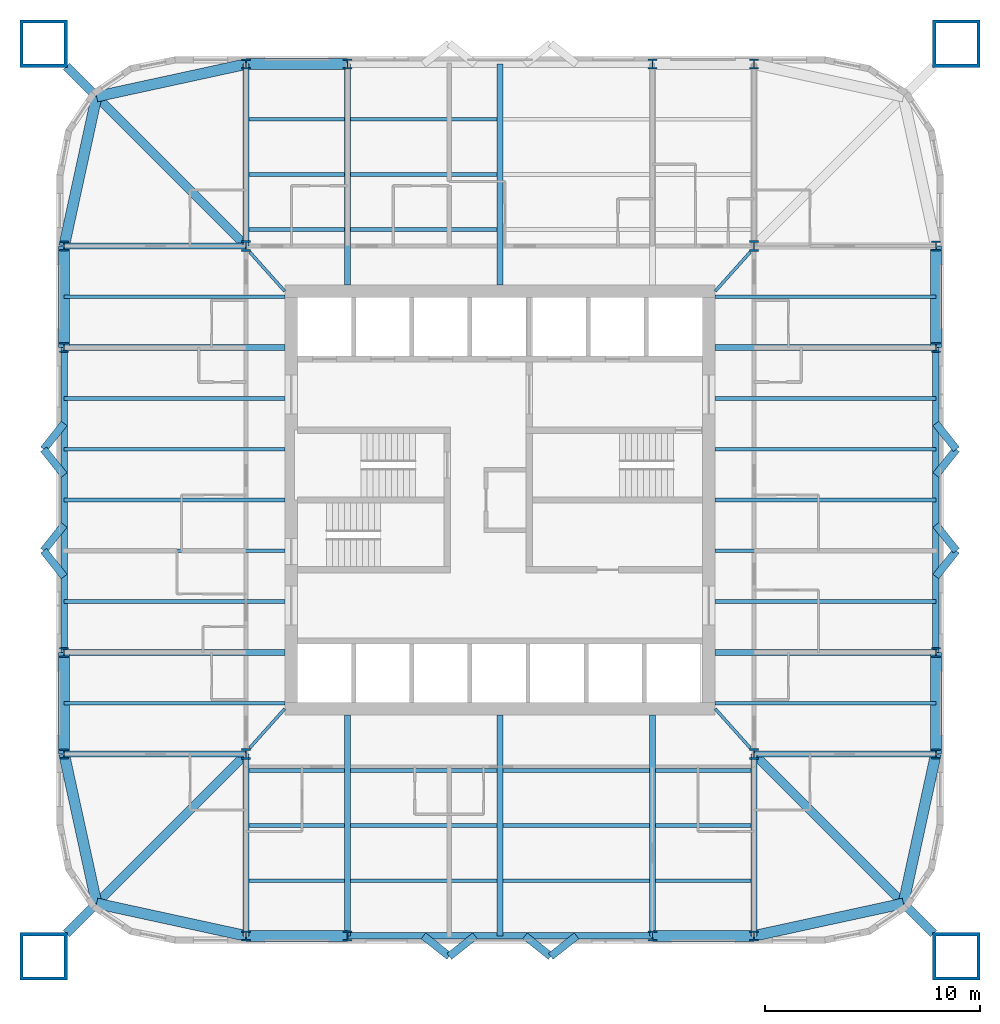
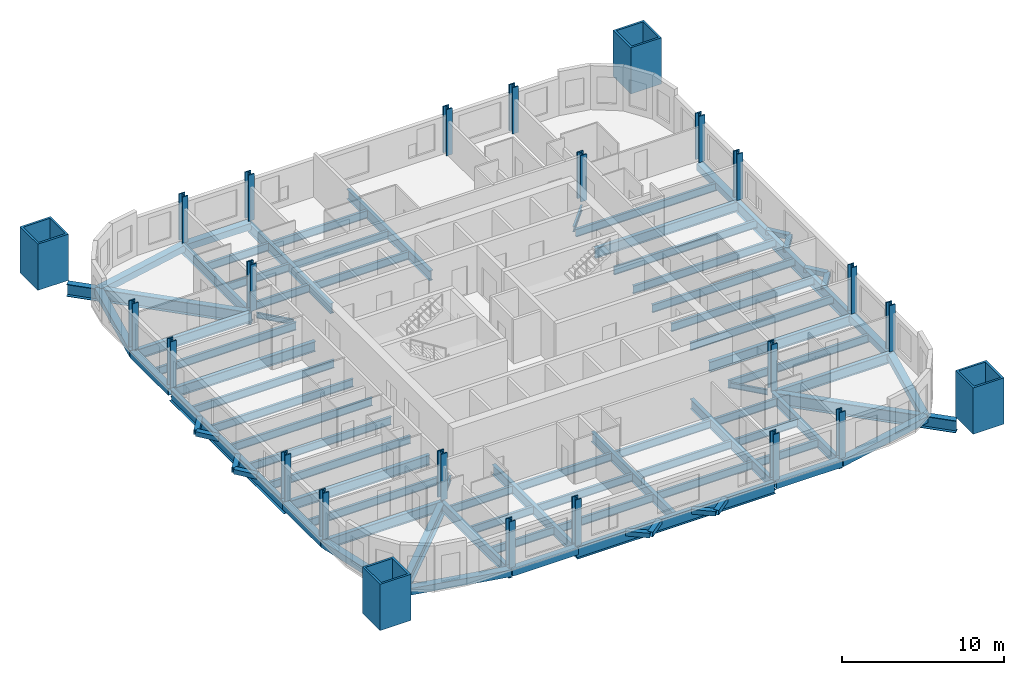
# One storey, part 1 of 9: 82 beams, 24 columns.
"""IFC4 building model written with IfcOpenShell, lengths in metres."""

from ifc_helpers import new_model, si_unit, direction, frame, origin, origin_2d, place, context, subcontext, project, spatial, hollow_rectangle, i_section, extrude, material, material_profile, profile_set, type_object, element, save


model = new_model("IFC4")

# Units and contexts
model_context = context("Model", 3, precision=1e-05, world=origin(), true_north=direction((0.0, 1.0)))
body_context = subcontext(model_context, "Body", "Model", "MODEL_VIEW")
ifc_project = project(units=[si_unit("LENGTHUNIT", "METRE"), si_unit("AREAUNIT", "SQUARE_METRE"), si_unit("VOLUMEUNIT", "CUBIC_METRE"), si_unit("PLANEANGLEUNIT", "RADIAN"), si_unit("MASSUNIT", "GRAM", prefix="KILO")], contexts=[model_context])

# Site, building, storey
site_placement = place(None, origin())
site = spatial("IfcSite", under=ifc_project, at=site_placement, CompositionType="ELEMENT")
building_placement = place(site_placement, origin())
building = spatial("IfcBuilding", under=site, at=building_placement, Name="Turquesa Mirador Hotel Tower", CompositionType="ELEMENT")
storey_placement = place(building_placement, frame((0.0, 0.0, 128.39990234375)))
storey = spatial("IfcBuildingStorey", under=building, at=storey_placement, Name="L34", CompositionType="ELEMENT", Elevation=128.39990234375)

# Columns
ifc_material_1 = material(Name="Steel ASTM A992 Grade 50", Category="steel")
ifc_material_profile_1 = material_profile(ifc_material_1, i_section(OverallWidth=0.421630859375, OverallDepth=0.46484375, WebThickness=0.044921875, FlangeThickness=0.072509765625, at=origin_2d()), Name="W14X398")
ifc_profile_set_1 = profile_set([ifc_material_profile_1], Name="Steel ASTM A992 Grade 50")
column_type_1 = type_object("IfcColumnType", Name="COLUMN W14X398", PredefinedType="COLUMN", material=ifc_profile_set_1)
for number, where, z_axis, x_axis, name in (
    (1, (34.75, 33.199951171875, 0.0), (0.0, 0.0, 1.0), (1.0, 0.0, 0.0), "COL-L34-P--20.25--11.80"),
    (2, (34.75, 37.919921875, 0.0), (0.0, 0.0, 1.0), (1.0, 0.0, 0.0), "COL-L34-P--20.25--7.08"),
    (3, (34.75, 52.080078125, 0.0), (0.0, 0.0, 1.0), (1.0, 0.0, 0.0), "COL-L34-P--20.25-+7.08"),
    (4, (34.75, 56.800048828125, 0.0), (0.0, 0.0, 1.0), (1.0, 0.0, 0.0), "COL-L34-P--20.25-+11.80"),
    (5, (43.199951171875, 24.75, 0.0), (0.0, 0.0, 1.0), (1.0, 0.0, 0.0), "COL-L34-P--11.80--20.25"),
    (6, (43.199951171875, 65.25, 0.0), (0.0, 0.0, 1.0), (1.0, 0.0, 0.0), "COL-L34-P--11.80-+20.25"),
    (7, (47.919921875, 24.75, 0.0), (0.0, 0.0, 1.0), (1.0, 0.0, 0.0), "COL-L34-P--7.08--20.25"),
    (8, (47.919921875, 65.25, 0.0), (0.0, 0.0, 1.0), (1.0, 0.0, 0.0), "COL-L34-P--7.08-+20.25"),
    (9, (62.080078125, 24.75, 0.0), (0.0, 0.0, 1.0), (1.0, 0.0, 0.0), "COL-L34-P-+7.08--20.25"),
    (10, (62.080078125, 65.25, 0.0), (0.0, 0.0, 1.0), (1.0, 0.0, 0.0), "COL-L34-P-+7.08-+20.25"),
    (11, (66.800048828125, 24.75, 0.0), (0.0, 0.0, 1.0), (1.0, 0.0, 0.0), "COL-L34-P-+11.80--20.25"),
    (12, (66.800048828125, 65.25, 0.0), (0.0, 0.0, 1.0), (1.0, 0.0, 0.0), "COL-L34-P-+11.80-+20.25"),
    (13, (75.25, 33.199951171875, 0.0), (0.0, 0.0, 1.0), (1.0, 0.0, 0.0), "COL-L34-P-+20.25--11.80"),
    (14, (75.25, 37.919921875, 0.0), (0.0, 0.0, 1.0), (1.0, 0.0, 0.0), "COL-L34-P-+20.25--7.08"),
    (15, (75.25, 52.080078125, 0.0), (0.0, 0.0, 1.0), (1.0, 0.0, 0.0), "COL-L34-P-+20.25-+7.08"),
    (16, (75.25, 56.800048828125, 0.0), (0.0, 0.0, 1.0), (1.0, 0.0, 0.0), "COL-L34-P-+20.25-+11.80"),
):
    element("IfcColumn", number, at=place(storey_placement, frame(where, z_axis=z_axis, x_axis=x_axis)), inside=storey, type_object=column_type_1, Name=name, PredefinedType="COLUMN", context=body_context, shape_type="SweptSolid", body=[
        extrude(i_section(OverallWidth=0.421630859375, OverallDepth=0.46484375, WebThickness=0.044921875, FlangeThickness=0.072509765625, at=origin_2d()), origin(), (0.0, 0.0, 1.0), 3.5),
    ])
ifc_material_2 = material(Name="Steel ASTM A992 Grade 50", Category="steel")
ifc_material_profile_2 = material_profile(ifc_material_2, i_section(OverallWidth=0.431884765625, OverallDepth=0.497802734375, WebThickness=0.0556640625, FlangeThickness=0.0888671875, at=origin_2d()), Name="W14X500")
ifc_profile_set_2 = profile_set([ifc_material_profile_2], Name="Steel ASTM A992 Grade 50")
column_type_2 = type_object("IfcColumnType", Name="COLUMN W14X500", PredefinedType="COLUMN", material=ifc_profile_set_2)
for number, where, z_axis, x_axis, name in (
    (17, (43.199951171875, 33.199951171875, 0.0), (0.0, 0.0, 1.0), (1.0, 0.0, 0.0), "COL-L34-K--11.80--11.80"),
    (18, (43.199951171875, 56.800048828125, 0.0), (0.0, 0.0, 1.0), (1.0, 0.0, 0.0), "COL-L34-K--11.80-+11.80"),
    (19, (66.800048828125, 33.199951171875, 0.0), (0.0, 0.0, 1.0), (1.0, 0.0, 0.0), "COL-L34-K-+11.80--11.80"),
    (20, (66.800048828125, 56.800048828125, 0.0), (0.0, 0.0, 1.0), (1.0, 0.0, 0.0), "COL-L34-K-+11.80-+11.80"),
):
    element("IfcColumn", number, at=place(storey_placement, frame(where, z_axis=z_axis, x_axis=x_axis)), inside=storey, type_object=column_type_2, Name=name, PredefinedType="COLUMN", context=body_context, shape_type="SweptSolid", body=[
        extrude(i_section(OverallWidth=0.431884765625, OverallDepth=0.497802734375, WebThickness=0.0556640625, FlangeThickness=0.0888671875, at=origin_2d()), origin(), (0.0, 0.0, 1.0), 3.5),
    ])
ifc_material_3 = material(Name="Steel ASTM A514 Grade Q", Category="steel")
ifc_material_profile_3 = material_profile(ifc_material_3, hollow_rectangle(XDim=2.199951171875, YDim=2.199951171875, WallThickness=0.14990234375, at=origin_2d()), Name="BOX2200X2200X150")
ifc_profile_set_3 = profile_set([ifc_material_profile_3], Name="Steel ASTM A514 Grade Q")
column_type_3 = type_object("IfcColumnType", Name="MEGA COLUMN BOX2200X2200X150", PredefinedType="COLUMN", material=ifc_profile_set_3)
for number, where, z_axis, x_axis, name in (
    (21, (76.199951171875, 66.199951171875, 0.0), (0.0, 0.0, 1.0), (1.0, 0.0, 0.0), "Mega column M1"),
    (22, (33.800048828125, 66.199951171875, 0.0), (0.0, 0.0, 1.0), (1.0, 0.0, 0.0), "Mega column M2"),
    (23, (33.800048828125, 23.800048828125, 0.0), (0.0, 0.0, 1.0), (1.0, 0.0, 0.0), "Mega column M3"),
    (24, (76.199951171875, 23.800048828125, 0.0), (0.0, 0.0, 1.0), (1.0, 0.0, 0.0), "Mega column M4"),
):
    element("IfcColumn", number, at=place(storey_placement, frame(where, z_axis=z_axis, x_axis=x_axis)), inside=storey, type_object=column_type_3, Name=name, PredefinedType="COLUMN", context=body_context, shape_type="SweptSolid", body=[
        extrude(hollow_rectangle(XDim=2.199951171875, YDim=2.199951171875, WallThickness=0.14990234375, at=origin_2d()), origin(), (0.0, 0.0, 1.0), 3.5),
    ])

# Beams
ifc_material_4 = material(Name="Steel ASTM A572 Grade 50", Category="steel")
ifc_material_profile_4 = material_profile(ifc_material_4, hollow_rectangle(XDim=0.5, YDim=0.5, WallThickness=0.01611328125, at=origin_2d()), Name="BOX500X500X16")
ifc_profile_set_4 = profile_set([ifc_material_profile_4], Name="Steel ASTM A572 Grade 50")
beam_type_1 = type_object("IfcBeamType", Name="BEAM BOX500X500X16", PredefinedType="BEAM", material=ifc_profile_set_4)
for number, where, z_axis, x_axis, name in (
    (25, (43.199951171875, 65.25, -0.419921875), (1.0, 0.0, 0.0), (0.0, 1.0, 0.0), "EB-L34-N-L"),
    (26, (43.199951171875, 24.75, -0.419921875), (1.0, 0.0, 0.0), (0.0, 1.0, 0.0), "EB-L34-S-L"),
    (27, (62.080078125, 24.75, -0.419921875), (1.0, 0.0, 0.0), (0.0, 1.0, 0.0), "EB-L34-S-R"),
    (28, (75.25, 33.199951171875, -0.419921875), (0.0, 1.0, 0.0), (-1.0, 0.0, 0.0), "EB-L34-E-L"),
    (29, (75.25, 52.080078125, -0.419921875), (0.0, 1.0, 0.0), (-1.0, 0.0, 0.0), "EB-L34-E-R"),
    (30, (34.75, 33.199951171875, -0.419921875), (0.0, 1.0, 0.0), (-1.0, 0.0, 0.0), "EB-L34-W-L"),
    (31, (34.75, 52.080078125, -0.419921875), (0.0, 1.0, 0.0), (-1.0, 0.0, 0.0), "EB-L34-W-R"),
):
    element("IfcBeam", number, at=place(storey_placement, frame(where, z_axis=z_axis, x_axis=x_axis)), inside=storey, type_object=beam_type_1, Name=name, PredefinedType="BEAM", context=body_context, shape_type="SweptSolid", body=[
        extrude(hollow_rectangle(XDim=0.5, YDim=0.5, WallThickness=0.01611328125, at=origin_2d()), origin(), (0.0, 0.0, 1.0), 4.719970703125),
    ])
for number, where, z_axis, x_axis, name in (
    (32, (34.75, 56.800048828125, -0.419921875), (0.212328336885, 0.977198381781, 0.0), (-0.977198381781, 0.212328336885, 0.0), "KE-L34-2-0"),
    (33, (36.25830078125, 63.74169921875, -0.419921875), (0.977198381781, 0.212328336885, 0.0), (-0.212328336885, 0.977198381781, 0.0), "KE-L34-2-1"),
    (34, (34.75, 33.199951171875, -0.419921875), (0.212328336885, -0.977198381781, 0.0), (0.977198381781, 0.212328336885, 0.0), "KE-L34-3-0"),
    (35, (36.25830078125, 26.25830078125, -0.419921875), (0.977198381781, -0.212328336885, 0.0), (0.212328336885, 0.977198381781, 0.0), "KE-L34-3-1"),
    (36, (75.25, 33.199951171875, -0.419921875), (-0.212328336885, -0.977198381781, 0.0), (0.977198381781, -0.212328336885, 0.0), "KE-L34-4-0"),
    (37, (73.74169921875, 26.25830078125, -0.419921875), (-0.977198381781, -0.212328336885, 0.0), (0.212328336885, -0.977198381781, 0.0), "KE-L34-4-1"),
):
    element("IfcBeam", number, at=place(storey_placement, frame(where, z_axis=z_axis, x_axis=x_axis)), inside=storey, type_object=beam_type_1, Name=name, PredefinedType="BEAM", context=body_context, shape_type="SweptSolid", body=[
        extrude(hollow_rectangle(XDim=0.5, YDim=0.5, WallThickness=0.01611328125, at=origin_2d()), origin(), (0.0, 0.0, 1.0), 7.103515625),
    ])
ifc_material_5 = material(Name="Steel ASTM A992 Grade 50", Category="steel")
ifc_material_profile_5 = material_profile(ifc_material_5, i_section(OverallWidth=0.140380859375, OverallDepth=0.40380859375, WebThickness=0.007080078125, FlangeThickness=0.01123046875, at=origin_2d()), Name="W16X31")
ifc_profile_set_5 = profile_set([ifc_material_profile_5], Name="Steel ASTM A992 Grade 50")
beam_type_2 = type_object("IfcBeamType", Name="BEAM W16X31", PredefinedType="BEAM", material=ifc_profile_set_5)
for number, where, z_axis, x_axis, name in (
    (38, (66.626953125, 56.518310546875, -0.371826171875), (-0.66679485947, -0.745241313525, 0.0), (0.745241313525, -0.66679485947, 0.0), "KT-L34-1"),
    (39, (43.373046875, 56.518310546875, -0.371826171875), (0.66679485947, -0.745241313525, 0.0), (0.745241313525, 0.66679485947, 0.0), "KT-L34-2"),
    (40, (43.373046875, 33.481689453125, -0.371826171875), (0.66679485947, 0.745241313525, 0.0), (-0.745241313525, 0.66679485947, 0.0), "KT-L34-3"),
    (41, (66.626953125, 33.481689453125, -0.371826171875), (-0.66679485947, 0.745241313525, 0.0), (-0.745241313525, -0.66679485947, 0.0), "KT-L34-4"),
):
    element("IfcBeam", number, at=place(storey_placement, frame(where, z_axis=z_axis, x_axis=x_axis)), inside=storey, type_object=beam_type_2, Name=name, PredefinedType="BEAM", context=body_context, shape_type="SweptSolid", body=[
        extrude(i_section(OverallWidth=0.140380859375, OverallDepth=0.40380859375, WebThickness=0.007080078125, FlangeThickness=0.01123046875, at=origin_2d()), origin(), (0.0, 0.0, 1.0), 2.43994140625),
    ])
ifc_material_6 = material(Name="Steel ASTM A992 Grade 50", Category="steel")
ifc_material_profile_6 = material_profile(ifc_material_6, i_section(OverallWidth=0.177978515625, OverallDepth=0.599365234375, WebThickness=0.010009765625, FlangeThickness=0.012939453125, at=origin_2d()), Name="W24X55")
ifc_profile_set_6 = profile_set([ifc_material_profile_6], Name="Steel ASTM A992 Grade 50")
beam_type_3 = type_object("IfcBeamType", Name="BEAM W24X55", PredefinedType="BEAM", material=ifc_profile_set_6)
beam_1_placement = place(storey_placement, frame((43.333251953125, 57.56201171875, -0.4697265625), z_axis=(1.0, 0.0, 0.0), x_axis=(0.0, 1.0, 0.0)))
element("IfcBeam", 42, at=beam_1_placement, inside=storey, type_object=beam_type_3, Name="IB-L34-N-1-0", PredefinedType="BEAM", context=body_context, shape_type="SweptSolid", body=[
    extrude(i_section(OverallWidth=0.177978515625, OverallDepth=0.599365234375, WebThickness=0.010009765625, FlangeThickness=0.012939453125, at=origin_2d()), origin(), (0.0, 0.0, 1.0), 4.453369140625),
])
beam_2_placement = place(storey_placement, frame((48.053466796875, 57.56201171875, -0.4697265625), z_axis=(1.0, 0.0, 0.0), x_axis=(0.0, 1.0, 0.0)))
element("IfcBeam", 43, at=beam_2_placement, inside=storey, type_object=beam_type_3, Name="IB-L34-N-1-1", PredefinedType="BEAM", context=body_context, shape_type="SweptSolid", body=[
    extrude(i_section(OverallWidth=0.177978515625, OverallDepth=0.599365234375, WebThickness=0.010009765625, FlangeThickness=0.012939453125, at=origin_2d()), origin(), (0.0, 0.0, 1.0), 6.813232421875),
])
beam_3_placement = place(storey_placement, frame((43.333251953125, 60.125, -0.4697265625), z_axis=(1.0, 0.0, 0.0), x_axis=(0.0, 1.0, 0.0)))
element("IfcBeam", 44, at=beam_3_placement, inside=storey, type_object=beam_type_3, Name="IB-L34-N-2-0", PredefinedType="BEAM", context=body_context, shape_type="SweptSolid", body=[
    extrude(i_section(OverallWidth=0.177978515625, OverallDepth=0.599365234375, WebThickness=0.010009765625, FlangeThickness=0.012939453125, at=origin_2d()), origin(), (0.0, 0.0, 1.0), 4.453369140625),
])
beam_4_placement = place(storey_placement, frame((48.053466796875, 60.125, -0.4697265625), z_axis=(1.0, 0.0, 0.0), x_axis=(0.0, 1.0, 0.0)))
element("IfcBeam", 45, at=beam_4_placement, inside=storey, type_object=beam_type_3, Name="IB-L34-N-2-1", PredefinedType="BEAM", context=body_context, shape_type="SweptSolid", body=[
    extrude(i_section(OverallWidth=0.177978515625, OverallDepth=0.599365234375, WebThickness=0.010009765625, FlangeThickness=0.012939453125, at=origin_2d()), origin(), (0.0, 0.0, 1.0), 6.813232421875),
])
beam_5_placement = place(storey_placement, frame((43.333251953125, 62.68798828125, -0.4697265625), z_axis=(1.0, 0.0, 0.0), x_axis=(0.0, 1.0, 0.0)))
element("IfcBeam", 46, at=beam_5_placement, inside=storey, type_object=beam_type_3, Name="IB-L34-N-3-0", PredefinedType="BEAM", context=body_context, shape_type="SweptSolid", body=[
    extrude(i_section(OverallWidth=0.177978515625, OverallDepth=0.599365234375, WebThickness=0.010009765625, FlangeThickness=0.012939453125, at=origin_2d()), origin(), (0.0, 0.0, 1.0), 4.453369140625),
])
beam_6_placement = place(storey_placement, frame((48.053466796875, 62.68798828125, -0.4697265625), z_axis=(1.0, 0.0, 0.0), x_axis=(0.0, 1.0, 0.0)))
element("IfcBeam", 47, at=beam_6_placement, inside=storey, type_object=beam_type_3, Name="IB-L34-N-3-1", PredefinedType="BEAM", context=body_context, shape_type="SweptSolid", body=[
    extrude(i_section(OverallWidth=0.177978515625, OverallDepth=0.599365234375, WebThickness=0.010009765625, FlangeThickness=0.012939453125, at=origin_2d()), origin(), (0.0, 0.0, 1.0), 6.813232421875),
])
beam_7_placement = place(storey_placement, frame((43.333251953125, 32.43798828125, -0.4697265625), z_axis=(1.0, 0.0, 0.0), x_axis=(0.0, 1.0, 0.0)))
element("IfcBeam", 48, at=beam_7_placement, inside=storey, type_object=beam_type_3, Name="IB-L34-S-1-0", PredefinedType="BEAM", context=body_context, shape_type="SweptSolid", body=[
    extrude(i_section(OverallWidth=0.177978515625, OverallDepth=0.599365234375, WebThickness=0.010009765625, FlangeThickness=0.012939453125, at=origin_2d()), origin(), (0.0, 0.0, 1.0), 4.453369140625),
])
for number, where, z_axis, x_axis, name in (
    (49, (48.053466796875, 32.43798828125, -0.4697265625), (1.0, 0.0, 0.0), (0.0, 1.0, 0.0), "IB-L34-S-1-1"),
    (50, (55.13330078125, 32.43798828125, -0.4697265625), (1.0, 0.0, 0.0), (0.0, 1.0, 0.0), "IB-L34-S-1-2"),
):
    element("IfcBeam", number, at=place(storey_placement, frame(where, z_axis=z_axis, x_axis=x_axis)), inside=storey, type_object=beam_type_3, Name=name, PredefinedType="BEAM", context=body_context, shape_type="SweptSolid", body=[
        extrude(i_section(OverallWidth=0.177978515625, OverallDepth=0.599365234375, WebThickness=0.010009765625, FlangeThickness=0.012939453125, at=origin_2d()), origin(), (0.0, 0.0, 1.0), 6.813232421875),
    ])
for number, where, z_axis, x_axis, name in (
    (51, (62.21337890625, 32.43798828125, -0.4697265625), (1.0, 0.0, 0.0), (0.0, 1.0, 0.0), "IB-L34-S-1-3"),
    (52, (43.333251953125, 29.875, -0.4697265625), (1.0, 0.0, 0.0), (0.0, 1.0, 0.0), "IB-L34-S-2-0"),
):
    element("IfcBeam", number, at=place(storey_placement, frame(where, z_axis=z_axis, x_axis=x_axis)), inside=storey, type_object=beam_type_3, Name=name, PredefinedType="BEAM", context=body_context, shape_type="SweptSolid", body=[
        extrude(i_section(OverallWidth=0.177978515625, OverallDepth=0.599365234375, WebThickness=0.010009765625, FlangeThickness=0.012939453125, at=origin_2d()), origin(), (0.0, 0.0, 1.0), 4.453369140625),
    ])
for number, where, z_axis, x_axis, name in (
    (53, (48.053466796875, 29.875, -0.4697265625), (1.0, 0.0, 0.0), (0.0, 1.0, 0.0), "IB-L34-S-2-1"),
    (54, (55.13330078125, 29.875, -0.4697265625), (1.0, 0.0, 0.0), (0.0, 1.0, 0.0), "IB-L34-S-2-2"),
):
    element("IfcBeam", number, at=place(storey_placement, frame(where, z_axis=z_axis, x_axis=x_axis)), inside=storey, type_object=beam_type_3, Name=name, PredefinedType="BEAM", context=body_context, shape_type="SweptSolid", body=[
        extrude(i_section(OverallWidth=0.177978515625, OverallDepth=0.599365234375, WebThickness=0.010009765625, FlangeThickness=0.012939453125, at=origin_2d()), origin(), (0.0, 0.0, 1.0), 6.813232421875),
    ])
for number, where, z_axis, x_axis, name in (
    (55, (62.21337890625, 29.875, -0.4697265625), (1.0, 0.0, 0.0), (0.0, 1.0, 0.0), "IB-L34-S-2-3"),
    (56, (43.333251953125, 27.31201171875, -0.4697265625), (1.0, 0.0, 0.0), (0.0, 1.0, 0.0), "IB-L34-S-3-0"),
):
    element("IfcBeam", number, at=place(storey_placement, frame(where, z_axis=z_axis, x_axis=x_axis)), inside=storey, type_object=beam_type_3, Name=name, PredefinedType="BEAM", context=body_context, shape_type="SweptSolid", body=[
        extrude(i_section(OverallWidth=0.177978515625, OverallDepth=0.599365234375, WebThickness=0.010009765625, FlangeThickness=0.012939453125, at=origin_2d()), origin(), (0.0, 0.0, 1.0), 4.453369140625),
    ])
for number, where, z_axis, x_axis, name in (
    (57, (48.053466796875, 27.31201171875, -0.4697265625), (1.0, 0.0, 0.0), (0.0, 1.0, 0.0), "IB-L34-S-3-1"),
    (58, (55.13330078125, 27.31201171875, -0.4697265625), (1.0, 0.0, 0.0), (0.0, 1.0, 0.0), "IB-L34-S-3-2"),
):
    element("IfcBeam", number, at=place(storey_placement, frame(where, z_axis=z_axis, x_axis=x_axis)), inside=storey, type_object=beam_type_3, Name=name, PredefinedType="BEAM", context=body_context, shape_type="SweptSolid", body=[
        extrude(i_section(OverallWidth=0.177978515625, OverallDepth=0.599365234375, WebThickness=0.010009765625, FlangeThickness=0.012939453125, at=origin_2d()), origin(), (0.0, 0.0, 1.0), 6.813232421875),
    ])
beam_8_placement = place(storey_placement, frame((62.21337890625, 27.31201171875, -0.4697265625), z_axis=(1.0, 0.0, 0.0), x_axis=(0.0, 1.0, 0.0)))
element("IfcBeam", 59, at=beam_8_placement, inside=storey, type_object=beam_type_3, Name="IB-L34-S-3-3", PredefinedType="BEAM", context=body_context, shape_type="SweptSolid", body=[
    extrude(i_section(OverallWidth=0.177978515625, OverallDepth=0.599365234375, WebThickness=0.010009765625, FlangeThickness=0.012939453125, at=origin_2d()), origin(), (0.0, 0.0, 1.0), 4.453369140625),
])
for number, where, z_axis, x_axis, name in (
    (60, (75.25, 35.56005859375, -0.4697265625), (-1.0, 0.0, 0.0), (0.0, -1.0, 0.0), "BM-L34-E--9.44"),
    (61, (75.25, 40.280029296875, -0.4697265625), (-1.0, 0.0, 0.0), (0.0, -1.0, 0.0), "BM-L34-E--4.72"),
    (62, (75.25, 42.639892578125, -0.4697265625), (-1.0, 0.0, 0.0), (0.0, -1.0, 0.0), "BM-L34-E--2.36"),
    (63, (75.25, 45.0, -0.4697265625), (-1.0, 0.0, 0.0), (0.0, -1.0, 0.0), "BM-L34-E-+0.00"),
    (64, (75.25, 47.360107421875, -0.4697265625), (-1.0, 0.0, 0.0), (0.0, -1.0, 0.0), "BM-L34-E-+2.36"),
    (65, (75.25, 49.719970703125, -0.4697265625), (-1.0, 0.0, 0.0), (0.0, -1.0, 0.0), "BM-L34-E-+4.72"),
    (66, (75.25, 54.43994140625, -0.4697265625), (-1.0, 0.0, 0.0), (0.0, -1.0, 0.0), "BM-L34-E-+9.44"),
    (67, (34.75, 35.56005859375, -0.4697265625), (1.0, 0.0, 0.0), (0.0, 1.0, 0.0), "BM-L34-W--9.44"),
    (68, (34.75, 40.280029296875, -0.4697265625), (1.0, 0.0, 0.0), (0.0, 1.0, 0.0), "BM-L34-W--4.72"),
    (69, (34.75, 42.639892578125, -0.4697265625), (1.0, 0.0, 0.0), (0.0, 1.0, 0.0), "BM-L34-W--2.36"),
    (70, (34.75, 45.0, -0.4697265625), (1.0, 0.0, 0.0), (0.0, 1.0, 0.0), "BM-L34-W-+0.00"),
    (71, (34.75, 47.360107421875, -0.4697265625), (1.0, 0.0, 0.0), (0.0, 1.0, 0.0), "BM-L34-W-+2.36"),
    (72, (34.75, 49.719970703125, -0.4697265625), (1.0, 0.0, 0.0), (0.0, 1.0, 0.0), "BM-L34-W-+4.72"),
    (73, (34.75, 54.43994140625, -0.4697265625), (1.0, 0.0, 0.0), (0.0, 1.0, 0.0), "BM-L34-W-+9.44"),
):
    element("IfcBeam", number, at=place(storey_placement, frame(where, z_axis=z_axis, x_axis=x_axis)), inside=storey, type_object=beam_type_3, Name=name, PredefinedType="BEAM", context=body_context, shape_type="SweptSolid", body=[
        extrude(i_section(OverallWidth=0.177978515625, OverallDepth=0.599365234375, WebThickness=0.010009765625, FlangeThickness=0.012939453125, at=origin_2d()), origin(), (0.0, 0.0, 1.0), 10.25),
    ])
ifc_material_7 = material(Name="Steel ASTM A992 Grade 50", Category="steel")
ifc_material_profile_7 = material_profile(ifc_material_7, i_section(OverallWidth=0.2666015625, OverallDepth=0.7568359375, WebThickness=0.013916015625, FlangeThickness=0.019287109375, at=origin_2d()), Name="W30X108")
ifc_profile_set_7 = profile_set([ifc_material_profile_7], Name="Steel ASTM A992 Grade 50")
beam_type_4 = type_object("IfcBeamType", Name="BEAM W30X108", PredefinedType="BEAM", material=ifc_profile_set_7)
for number, where, z_axis, x_axis, name in (
    (74, (47.919921875, 65.25, -0.54833984375), (0.0, -1.0, 0.0), (1.0, 0.0, 0.0), "GD-L34-N--7.08"),
    (75, (55.0, 65.25, -0.54833984375), (0.0, -1.0, 0.0), (1.0, 0.0, 0.0), "GD-L34-N-+0.00"),
):
    element("IfcBeam", number, at=place(storey_placement, frame(where, z_axis=z_axis, x_axis=x_axis)), inside=storey, type_object=beam_type_4, Name=name, PredefinedType="BEAM", context=body_context, shape_type="SweptSolid", body=[
        extrude(i_section(OverallWidth=0.2666015625, OverallDepth=0.7568359375, WebThickness=0.013916015625, FlangeThickness=0.019287109375, at=origin_2d()), origin(), (0.0, 0.0, 1.0), 10.25),
    ])
beam_9_placement = place(storey_placement, frame((43.199951171875, 65.25, -0.54833984375), z_axis=(0.0, -1.0, 0.0), x_axis=(1.0, 0.0, 0.0)))
element("IfcBeam", 76, at=beam_9_placement, inside=storey, type_object=beam_type_4, Name="GK-L34-N--11.80", PredefinedType="BEAM", context=body_context, shape_type="SweptSolid", body=[
    extrude(i_section(OverallWidth=0.2666015625, OverallDepth=0.7568359375, WebThickness=0.013916015625, FlangeThickness=0.019287109375, at=origin_2d()), origin(), (0.0, 0.0, 1.0), 8.449951171875),
])
for number, where, z_axis, x_axis, name in (
    (77, (47.919921875, 24.75, -0.54833984375), (0.0, 1.0, 0.0), (-1.0, 0.0, 0.0), "GD-L34-S--7.08"),
    (78, (62.080078125, 24.75, -0.54833984375), (0.0, 1.0, 0.0), (-1.0, 0.0, 0.0), "GD-L34-S-+7.08"),
    (79, (55.0, 24.75, -0.54833984375), (0.0, 1.0, 0.0), (-1.0, 0.0, 0.0), "GD-L34-S-+0.00"),
):
    element("IfcBeam", number, at=place(storey_placement, frame(where, z_axis=z_axis, x_axis=x_axis)), inside=storey, type_object=beam_type_4, Name=name, PredefinedType="BEAM", context=body_context, shape_type="SweptSolid", body=[
        extrude(i_section(OverallWidth=0.2666015625, OverallDepth=0.7568359375, WebThickness=0.013916015625, FlangeThickness=0.019287109375, at=origin_2d()), origin(), (0.0, 0.0, 1.0), 10.25),
    ])
for number, where, z_axis, x_axis, name in (
    (80, (43.199951171875, 24.75, -0.54833984375), (0.0, 1.0, 0.0), (-1.0, 0.0, 0.0), "GK-L34-S--11.80"),
    (81, (66.800048828125, 24.75, -0.54833984375), (0.0, 1.0, 0.0), (-1.0, 0.0, 0.0), "GK-L34-S-+11.80"),
):
    element("IfcBeam", number, at=place(storey_placement, frame(where, z_axis=z_axis, x_axis=x_axis)), inside=storey, type_object=beam_type_4, Name=name, PredefinedType="BEAM", context=body_context, shape_type="SweptSolid", body=[
        extrude(i_section(OverallWidth=0.2666015625, OverallDepth=0.7568359375, WebThickness=0.013916015625, FlangeThickness=0.019287109375, at=origin_2d()), origin(), (0.0, 0.0, 1.0), 8.449951171875),
    ])
for number, where, z_axis, x_axis, name in (
    (82, (75.25, 37.919921875, -0.54833984375), (-1.0, 0.0, 0.0), (0.0, -1.0, 0.0), "GD-L34-E--7.08"),
    (83, (75.25, 52.080078125, -0.54833984375), (-1.0, 0.0, 0.0), (0.0, -1.0, 0.0), "GD-L34-E-+7.08"),
):
    element("IfcBeam", number, at=place(storey_placement, frame(where, z_axis=z_axis, x_axis=x_axis)), inside=storey, type_object=beam_type_4, Name=name, PredefinedType="BEAM", context=body_context, shape_type="SweptSolid", body=[
        extrude(i_section(OverallWidth=0.2666015625, OverallDepth=0.7568359375, WebThickness=0.013916015625, FlangeThickness=0.019287109375, at=origin_2d()), origin(), (0.0, 0.0, 1.0), 10.25),
    ])
beam_10_placement = place(storey_placement, frame((75.25, 33.199951171875, -0.54833984375), z_axis=(-1.0, 0.0, 0.0), x_axis=(0.0, -1.0, 0.0)))
element("IfcBeam", 84, at=beam_10_placement, inside=storey, type_object=beam_type_4, Name="GK-L34-E--11.80", PredefinedType="BEAM", context=body_context, shape_type="SweptSolid", body=[
    extrude(i_section(OverallWidth=0.2666015625, OverallDepth=0.7568359375, WebThickness=0.013916015625, FlangeThickness=0.019287109375, at=origin_2d()), origin(), (0.0, 0.0, 1.0), 8.449951171875),
])
for number, where, z_axis, x_axis, name in (
    (85, (34.75, 37.919921875, -0.54833984375), (1.0, 0.0, 0.0), (0.0, 1.0, 0.0), "GD-L34-W--7.08"),
    (86, (34.75, 52.080078125, -0.54833984375), (1.0, 0.0, 0.0), (0.0, 1.0, 0.0), "GD-L34-W-+7.08"),
):
    element("IfcBeam", number, at=place(storey_placement, frame(where, z_axis=z_axis, x_axis=x_axis)), inside=storey, type_object=beam_type_4, Name=name, PredefinedType="BEAM", context=body_context, shape_type="SweptSolid", body=[
        extrude(i_section(OverallWidth=0.2666015625, OverallDepth=0.7568359375, WebThickness=0.013916015625, FlangeThickness=0.019287109375, at=origin_2d()), origin(), (0.0, 0.0, 1.0), 10.25),
    ])
for number, where, z_axis, x_axis, name in (
    (87, (34.75, 33.199951171875, -0.54833984375), (1.0, 0.0, 0.0), (0.0, 1.0, 0.0), "GK-L34-W--11.80"),
    (88, (34.75, 56.800048828125, -0.54833984375), (1.0, 0.0, 0.0), (0.0, 1.0, 0.0), "GK-L34-W-+11.80"),
):
    element("IfcBeam", number, at=place(storey_placement, frame(where, z_axis=z_axis, x_axis=x_axis)), inside=storey, type_object=beam_type_4, Name=name, PredefinedType="BEAM", context=body_context, shape_type="SweptSolid", body=[
        extrude(i_section(OverallWidth=0.2666015625, OverallDepth=0.7568359375, WebThickness=0.013916015625, FlangeThickness=0.019287109375, at=origin_2d()), origin(), (0.0, 0.0, 1.0), 8.449951171875),
    ])
ifc_material_8 = material(Name="Steel ASTM A992 Grade 50", Category="steel")
ifc_material_profile_8 = material_profile(ifc_material_8, i_section(OverallWidth=0.3046875, OverallDepth=0.911865234375, WebThickness=0.015869140625, FlangeThickness=0.02392578125, at=origin_2d()), Name="W36X150")
ifc_profile_set_8 = profile_set([ifc_material_profile_8], Name="Steel ASTM A992 Grade 50")
beam_type_5 = type_object("IfcBeamType", Name="BEAM W36X150", PredefinedType="BEAM", material=ifc_profile_set_8)
for number, where, z_axis, x_axis, name in (
    (89, (47.919921875, 24.75, -0.625732421875), (1.0, 0.0, 0.0), (0.0, 1.0, 0.0), "EB-L34-S-C"),
    (90, (75.25, 37.919921875, -0.625732421875), (0.0, 1.0, 0.0), (-1.0, 0.0, 0.0), "EB-L34-E-C"),
    (91, (34.75, 37.919921875, -0.625732421875), (0.0, 1.0, 0.0), (-1.0, 0.0, 0.0), "EB-L34-W-C"),
):
    element("IfcBeam", number, at=place(storey_placement, frame(where, z_axis=z_axis, x_axis=x_axis)), inside=storey, type_object=beam_type_5, Name=name, PredefinedType="BEAM", context=body_context, shape_type="SweptSolid", body=[
        extrude(i_section(OverallWidth=0.3046875, OverallDepth=0.911865234375, WebThickness=0.015869140625, FlangeThickness=0.02392578125, at=origin_2d()), origin(), (0.0, 0.0, 1.0), 14.16015625),
    ])
ifc_material_9 = material(Name="Steel ASTM A992 Grade 50", Category="steel")
ifc_material_profile_9 = material_profile(ifc_material_9, i_section(OverallWidth=0.419189453125, OverallDepth=0.927001953125, WebThickness=0.019287109375, FlangeThickness=0.031982421875, at=origin_2d()), Name="W36X231")
ifc_profile_set_9 = profile_set([ifc_material_profile_9], Name="Steel ASTM A992 Grade 50")
beam_type_6 = type_object("IfcBeamType", Name="BEAM W36X231", PredefinedType="BEAM", material=ifc_profile_set_9)
for number, where, z_axis, x_axis, name in (
    (92, (43.199951171875, 56.800048828125, -0.633544921875), (-0.707106781187, 0.707106781187, 0.0), (-0.707106781187, -0.707106781187, 0.0), "KD-L34-2"),
    (93, (43.199951171875, 33.199951171875, -0.633544921875), (-0.707106781187, -0.707106781187, 0.0), (0.707106781187, -0.707106781187, 0.0), "KD-L34-3"),
    (94, (66.800048828125, 33.199951171875, -0.633544921875), (0.707106781187, -0.707106781187, 0.0), (0.707106781187, 0.707106781187, 0.0), "KD-L34-4"),
):
    element("IfcBeam", number, at=place(storey_placement, frame(where, z_axis=z_axis, x_axis=x_axis)), inside=storey, type_object=beam_type_6, Name=name, PredefinedType="BEAM", context=body_context, shape_type="SweptSolid", body=[
        extrude(i_section(OverallWidth=0.419189453125, OverallDepth=0.927001953125, WebThickness=0.019287109375, FlangeThickness=0.031982421875, at=origin_2d()), origin(), (0.0, 0.0, 1.0), 11.80859375),
    ])
ifc_material_10 = material(Name="Steel ASTM A500 Grade C", Category="steel")
ifc_material_profile_10 = material_profile(ifc_material_10, hollow_rectangle(XDim=0.355712890625, YDim=0.355712890625, WallThickness=0.0146484375, at=origin_2d()), Name="HSS14X14X5/8")
ifc_profile_set_10 = profile_set([ifc_material_profile_10], Name="Steel ASTM A500 Grade C")
beam_type_7 = type_object("IfcBeamType", Name="BRACE STRUT HSS14X14X5/8", PredefinedType="BEAM", material=ifc_profile_set_10)
beam_11_placement = place(storey_placement, frame((57.35546875, 23.800048828125, -0.34765625), z_axis=(-0.784049059149, 0.620698858423, 0.0), x_axis=(-0.620698858423, -0.784049059149, 0.0)))
element("IfcBeam", 95, at=beam_11_placement, inside=storey, type_object=beam_type_7, Name="Brace strut", PredefinedType="BEAM", context=body_context, shape_type="SweptSolid", body=[
    extrude(hollow_rectangle(XDim=0.355712890625, YDim=0.355712890625, WallThickness=0.0146484375, at=origin_2d()), origin(), (0.0, 0.0, 1.0), 1.530517578125),
])
for number, where, z_axis, x_axis, name in (
    (96, (57.35546875, 23.800048828125, -0.34765625), (0.784110506071, 0.620621232531, 0.0), (-0.620621232531, 0.784110506071, 0.0), "Brace strut"),
    (97, (52.64453125, 23.800048828125, -0.34765625), (-0.784110506071, 0.620621232531, 0.0), (-0.620621232531, -0.784110506071, 0.0), "Brace strut"),
):
    element("IfcBeam", number, at=place(storey_placement, frame(where, z_axis=z_axis, x_axis=x_axis)), inside=storey, type_object=beam_type_7, Name=name, PredefinedType="BEAM", context=body_context, shape_type="SweptSolid", body=[
        extrude(hollow_rectangle(XDim=0.355712890625, YDim=0.355712890625, WallThickness=0.0146484375, at=origin_2d()), origin(), (0.0, 0.0, 1.0), 1.53076171875),
    ])
for number, where, z_axis, x_axis, name in (
    (98, (52.64453125, 23.800048828125, -0.34765625), (0.784049059149, 0.620698858423, 0.0), (-0.620698858423, 0.784049059149, 0.0), "Brace strut"),
    (99, (76.199951171875, 47.35546875, -0.34765625), (-0.620698858423, -0.784049059149, 0.0), (0.784049059149, -0.620698858423, 0.0), "Brace strut"),
):
    element("IfcBeam", number, at=place(storey_placement, frame(where, z_axis=z_axis, x_axis=x_axis)), inside=storey, type_object=beam_type_7, Name=name, PredefinedType="BEAM", context=body_context, shape_type="SweptSolid", body=[
        extrude(hollow_rectangle(XDim=0.355712890625, YDim=0.355712890625, WallThickness=0.0146484375, at=origin_2d()), origin(), (0.0, 0.0, 1.0), 1.530517578125),
    ])
for number, where, z_axis, x_axis, name in (
    (100, (76.199951171875, 47.35546875, -0.34765625), (-0.620621232531, 0.784110506071, 0.0), (-0.784110506071, -0.620621232531, 0.0), "Brace strut"),
    (101, (76.199951171875, 42.64453125, -0.34765625), (-0.620621232531, -0.784110506071, 0.0), (0.784110506071, -0.620621232531, 0.0), "Brace strut"),
):
    element("IfcBeam", number, at=place(storey_placement, frame(where, z_axis=z_axis, x_axis=x_axis)), inside=storey, type_object=beam_type_7, Name=name, PredefinedType="BEAM", context=body_context, shape_type="SweptSolid", body=[
        extrude(hollow_rectangle(XDim=0.355712890625, YDim=0.355712890625, WallThickness=0.0146484375, at=origin_2d()), origin(), (0.0, 0.0, 1.0), 1.53076171875),
    ])
for number, where, z_axis, x_axis, name in (
    (102, (76.199951171875, 42.64453125, -0.34765625), (-0.620698858423, 0.784049059149, 0.0), (-0.784049059149, -0.620698858423, 0.0), "Brace strut"),
    (103, (33.800048828125, 47.35546875, -0.34765625), (0.620698858423, -0.784049059149, 0.0), (0.784049059149, 0.620698858423, 0.0), "Brace strut"),
):
    element("IfcBeam", number, at=place(storey_placement, frame(where, z_axis=z_axis, x_axis=x_axis)), inside=storey, type_object=beam_type_7, Name=name, PredefinedType="BEAM", context=body_context, shape_type="SweptSolid", body=[
        extrude(hollow_rectangle(XDim=0.355712890625, YDim=0.355712890625, WallThickness=0.0146484375, at=origin_2d()), origin(), (0.0, 0.0, 1.0), 1.530517578125),
    ])
for number, where, z_axis, x_axis, name in (
    (104, (33.800048828125, 47.35546875, -0.34765625), (0.620621232531, 0.784110506071, 0.0), (-0.784110506071, 0.620621232531, 0.0), "Brace strut"),
    (105, (33.800048828125, 42.64453125, -0.34765625), (0.620621232531, -0.784110506071, 0.0), (0.784110506071, 0.620621232531, 0.0), "Brace strut"),
):
    element("IfcBeam", number, at=place(storey_placement, frame(where, z_axis=z_axis, x_axis=x_axis)), inside=storey, type_object=beam_type_7, Name=name, PredefinedType="BEAM", context=body_context, shape_type="SweptSolid", body=[
        extrude(hollow_rectangle(XDim=0.355712890625, YDim=0.355712890625, WallThickness=0.0146484375, at=origin_2d()), origin(), (0.0, 0.0, 1.0), 1.53076171875),
    ])
beam_12_placement = place(storey_placement, frame((33.800048828125, 42.64453125, -0.34765625), z_axis=(0.620698858423, 0.784049059149, 0.0), x_axis=(-0.784049059149, 0.620698858423, 0.0)))
element("IfcBeam", 106, at=beam_12_placement, inside=storey, type_object=beam_type_7, Name="Brace strut", PredefinedType="BEAM", context=body_context, shape_type="SweptSolid", body=[
    extrude(hollow_rectangle(XDim=0.355712890625, YDim=0.355712890625, WallThickness=0.0146484375, at=origin_2d()), origin(), (0.0, 0.0, 1.0), 1.530517578125),
])

save(model, "model.ifc")
